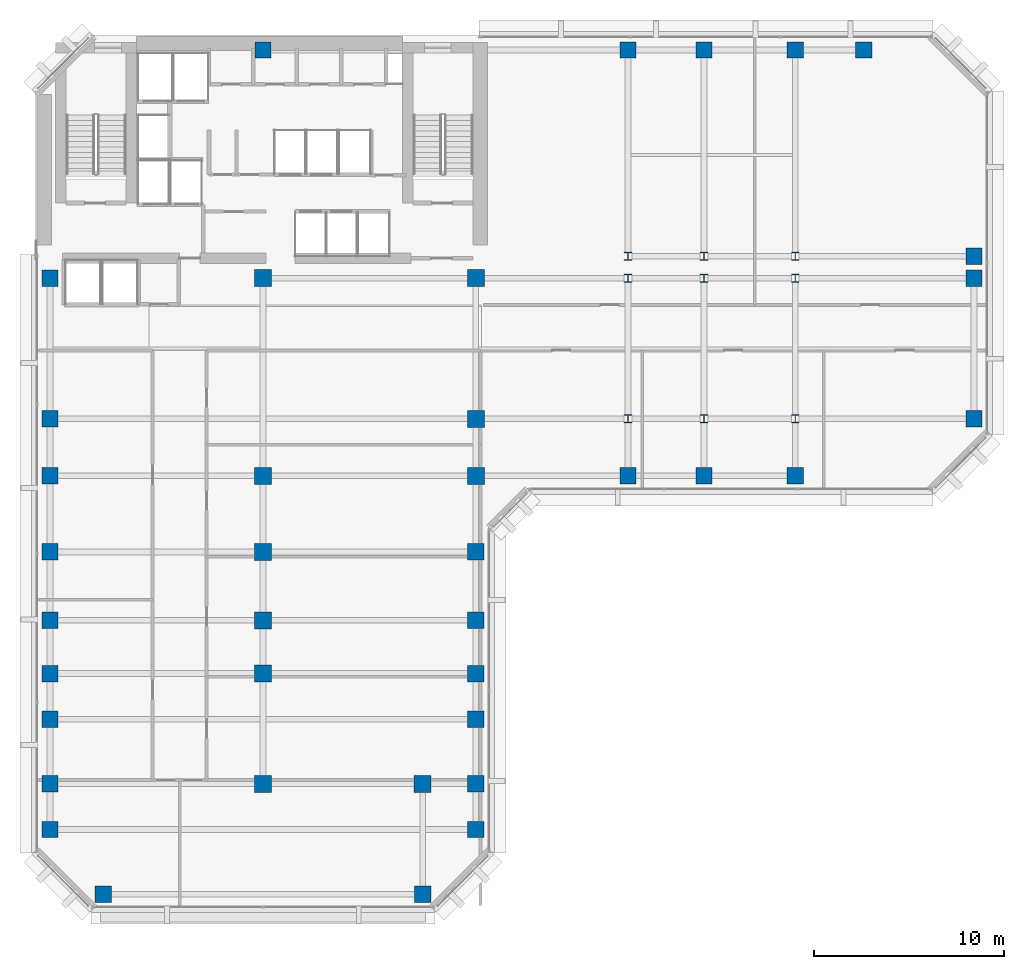
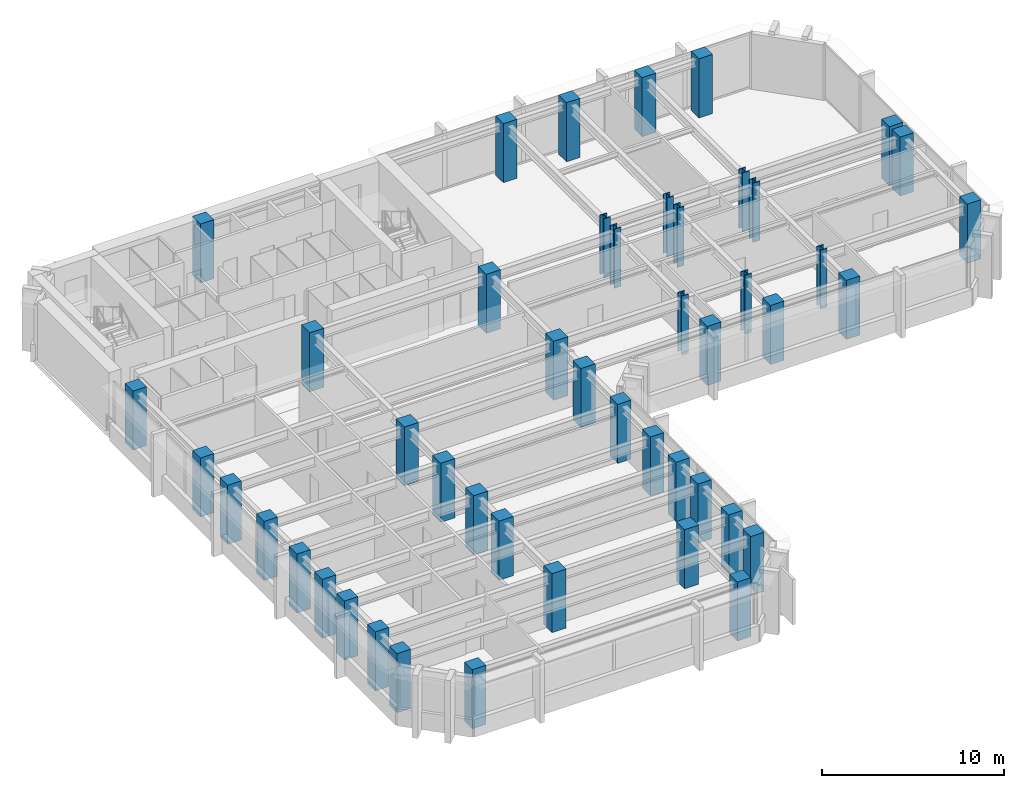
# One storey, part 1 of 11: 47 columns.
"""IFC4 building model written with IfcOpenShell, lengths in metres."""

from ifc_helpers import new_model, si_unit, direction, frame, origin, origin_2d, place, context, subcontext, project, spatial, rectangle, i_section, extrude, material, material_profile, profile_set, type_object, element, save


model = new_model("IFC4")

# Units and contexts
model_context = context("Model", 3, precision=1e-05, world=origin(), true_north=direction((0.0, 1.0)))
body_context = subcontext(model_context, "Body", "Model", "MODEL_VIEW")
ifc_project = project(units=[si_unit("LENGTHUNIT", "METRE"), si_unit("AREAUNIT", "SQUARE_METRE"), si_unit("VOLUMEUNIT", "CUBIC_METRE"), si_unit("PLANEANGLEUNIT", "RADIAN"), si_unit("MASSUNIT", "GRAM", prefix="KILO")], contexts=[model_context])

# Site, building, storey
site_placement = place(None, origin())
site = spatial("IfcSite", under=ifc_project, at=site_placement, CompositionType="ELEMENT")
building_placement = place(site_placement, origin())
building = spatial("IfcBuilding", under=site, at=building_placement, Name="Kefirva Bronze Tower", CompositionType="ELEMENT")
storey_placement = place(building_placement, frame((0.0, 0.0, 142.889892578125)))
storey = spatial("IfcBuildingStorey", under=building, at=storey_placement, Name="L34", CompositionType="ELEMENT", Elevation=142.889892578125)

# Columns
ifc_material_1 = material(Name="Concrete C60/75", Category="concrete")
ifc_material_profile_1 = material_profile(ifc_material_1, rectangle(XDim=0.860107421875, YDim=0.860107421875, at=origin_2d()), Name="RC 860x860")
ifc_profile_set_1 = profile_set([ifc_material_profile_1], Name="Concrete C60/75")
column_type_1 = type_object("IfcColumnType", Name="RC Column 860x860 Ext", PredefinedType="COLUMN", material=ifc_profile_set_1)
for number, where, z_axis, x_axis, name in (
    (1, (0.800048828125, 4.199951171875, 0.0), (0.0, 0.0, 1.0), (1.0, 0.0, 0.0), "L34 Column C008_042"),
    (2, (0.800048828125, 6.60009765625, 0.0), (0.0, 0.0, 1.0), (1.0, 0.0, 0.0), "L34 Column C008_066"),
    (3, (0.800048828125, 10.0, 0.0), (0.0, 0.0, 1.0), (1.0, 0.0, 0.0), "L34 Column C008_100"),
    (4, (0.800048828125, 12.39990234375, 0.0), (0.0, 0.0, 1.0), (1.0, 0.0, 0.0), "L34 Column C008_124"),
    (5, (0.800048828125, 15.199951171875, 0.0), (0.0, 0.0, 1.0), (1.0, 0.0, 0.0), "L34 Column C008_152"),
    (6, (0.800048828125, 18.800048828125, 0.0), (0.0, 0.0, 1.0), (1.0, 0.0, 0.0), "L34 Column C008_188"),
    (7, (0.800048828125, 22.800048828125, 0.0), (0.0, 0.0, 1.0), (1.0, 0.0, 0.0), "L34 Column C008_228"),
    (8, (0.800048828125, 25.800048828125, 0.0), (0.0, 0.0, 1.0), (1.0, 0.0, 0.0), "L34 Column C008_258"),
    (9, (0.800048828125, 33.199951171875, 0.0), (0.0, 0.0, 1.0), (1.0, 0.0, 0.0), "L34 Column C008_332"),
    (10, (3.60009765625, 0.800048828125, 0.0), (0.0, 0.0, 1.0), (1.0, 0.0, 0.0), "L34 Column C036_008"),
    (11, (12.0, 45.199951171875, 0.0), (0.0, 0.0, 1.0), (1.0, 0.0, 0.0), "L34 Column C120_452"),
    (12, (20.39990234375, 0.800048828125, 0.0), (0.0, 0.0, 1.0), (1.0, 0.0, 0.0), "L34 Column C204_008"),
    (13, (23.199951171875, 4.199951171875, 0.0), (0.0, 0.0, 1.0), (1.0, 0.0, 0.0), "L34 Column C232_042"),
    (14, (23.199951171875, 6.60009765625, 0.0), (0.0, 0.0, 1.0), (1.0, 0.0, 0.0), "L34 Column C232_066"),
    (15, (23.199951171875, 10.0, 0.0), (0.0, 0.0, 1.0), (1.0, 0.0, 0.0), "L34 Column C232_100"),
    (16, (23.199951171875, 12.39990234375, 0.0), (0.0, 0.0, 1.0), (1.0, 0.0, 0.0), "L34 Column C232_124"),
    (17, (23.199951171875, 15.199951171875, 0.0), (0.0, 0.0, 1.0), (1.0, 0.0, 0.0), "L34 Column C232_152"),
    (18, (23.199951171875, 18.800048828125, 0.0), (0.0, 0.0, 1.0), (1.0, 0.0, 0.0), "L34 Column C232_188"),
    (19, (31.199951171875, 22.800048828125, 0.0), (0.0, 0.0, 1.0), (1.0, 0.0, 0.0), "L34 Column C312_228"),
    (20, (31.199951171875, 45.199951171875, 0.0), (0.0, 0.0, 1.0), (1.0, 0.0, 0.0), "L34 Column C312_452"),
    (21, (35.199951171875, 22.800048828125, 0.0), (0.0, 0.0, 1.0), (1.0, 0.0, 0.0), "L34 Column C352_228"),
    (22, (35.199951171875, 45.199951171875, 0.0), (0.0, 0.0, 1.0), (1.0, 0.0, 0.0), "L34 Column C352_452"),
    (23, (40.0, 22.800048828125, 0.0), (0.0, 0.0, 1.0), (1.0, 0.0, 0.0), "L34 Column C400_228"),
    (24, (40.0, 45.199951171875, 0.0), (0.0, 0.0, 1.0), (1.0, 0.0, 0.0), "L34 Column C400_452"),
    (25, (43.60009765625, 45.199951171875, 0.0), (0.0, 0.0, 1.0), (1.0, 0.0, 0.0), "L34 Column C436_452"),
    (26, (49.39990234375, 25.800048828125, 0.0), (0.0, 0.0, 1.0), (1.0, 0.0, 0.0), "L34 Column C494_258"),
    (27, (49.39990234375, 33.199951171875, 0.0), (0.0, 0.0, 1.0), (1.0, 0.0, 0.0), "L34 Column C494_332"),
    (28, (49.39990234375, 34.35009765625, 0.0), (0.0, 0.0, 1.0), (1.0, 0.0, 0.0), "L34 Column C494_344"),
):
    element("IfcColumn", number, at=place(storey_placement, frame(where, z_axis=z_axis, x_axis=x_axis)), inside=storey, type_object=column_type_1, Name=name, PredefinedType="COLUMN", context=body_context, shape_type="SweptSolid", body=[
        extrude(rectangle(XDim=0.860107421875, YDim=0.860107421875, at=origin_2d()), origin(), (0.0, 0.0, 1.0), 3.960205078125),
    ])
ifc_material_profile_2 = material_profile(ifc_material_1, rectangle(XDim=0.89990234375, YDim=0.89990234375, at=origin_2d()), Name="RC 900x900")
ifc_profile_set_2 = profile_set([ifc_material_profile_2], Name="Concrete C60/75")
column_type_2 = type_object("IfcColumnType", Name="RC Column 900x900 Int", PredefinedType="COLUMN", material=ifc_profile_set_2)
for number, where, z_axis, x_axis, name in (
    (29, (12.0, 6.60009765625, 0.0), (0.0, 0.0, 1.0), (1.0, 0.0, 0.0), "L34 Column C120_066"),
    (30, (12.0, 12.39990234375, 0.0), (0.0, 0.0, 1.0), (1.0, 0.0, 0.0), "L34 Column C120_124"),
    (31, (12.0, 15.199951171875, 0.0), (0.0, 0.0, 1.0), (1.0, 0.0, 0.0), "L34 Column C120_152"),
    (32, (12.0, 18.800048828125, 0.0), (0.0, 0.0, 1.0), (1.0, 0.0, 0.0), "L34 Column C120_188"),
    (33, (12.0, 22.800048828125, 0.0), (0.0, 0.0, 1.0), (1.0, 0.0, 0.0), "L34 Column C120_228"),
    (34, (12.0, 33.199951171875, 0.0), (0.0, 0.0, 1.0), (1.0, 0.0, 0.0), "L34 Column C120_332"),
    (35, (20.39990234375, 6.60009765625, 0.0), (0.0, 0.0, 1.0), (1.0, 0.0, 0.0), "L34 Column C204_066"),
    (36, (23.199951171875, 22.800048828125, 0.0), (0.0, 0.0, 1.0), (1.0, 0.0, 0.0), "L34 Column C232_228"),
    (37, (23.199951171875, 25.800048828125, 0.0), (0.0, 0.0, 1.0), (1.0, 0.0, 0.0), "L34 Column C232_258"),
    (38, (23.199951171875, 33.199951171875, 0.0), (0.0, 0.0, 1.0), (1.0, 0.0, 0.0), "L34 Column C232_332"),
):
    element("IfcColumn", number, at=place(storey_placement, frame(where, z_axis=z_axis, x_axis=x_axis)), inside=storey, type_object=column_type_2, Name=name, PredefinedType="COLUMN", context=body_context, shape_type="SweptSolid", body=[
        extrude(rectangle(XDim=0.89990234375, YDim=0.89990234375, at=origin_2d()), origin(), (0.0, 0.0, 1.0), 3.960205078125),
    ])
ifc_material_2 = material(Name="Steel S460", Category="steel")
ifc_material_profile_3 = material_profile(ifc_material_2, i_section(OverallWidth=0.41796875, OverallDepth=0.455078125, WebThickness=0.031982421875, FlangeThickness=0.051025390625, at=origin_2d()), Name="HD 400x551")
ifc_profile_set_3 = profile_set([ifc_material_profile_3], Name="Steel S460")
column_type_3 = type_object("IfcColumnType", Name="Steel Column HD 400x551", PredefinedType="COLUMN", material=ifc_profile_set_3)
for number, where, z_axis, x_axis, name in (
    (39, (31.199951171875, 25.800048828125, 0.0), (0.0, 0.0, 1.0), (1.0, 0.0, 0.0), "L34 Column C312_258"),
    (40, (31.199951171875, 33.199951171875, 0.0), (0.0, 0.0, 1.0), (1.0, 0.0, 0.0), "L34 Column C312_332"),
    (41, (31.199951171875, 34.35009765625, 0.0), (0.0, 0.0, 1.0), (1.0, 0.0, 0.0), "L34 Column C312_344"),
    (42, (35.199951171875, 25.800048828125, 0.0), (0.0, 0.0, 1.0), (1.0, 0.0, 0.0), "L34 Column C352_258"),
    (43, (35.199951171875, 33.199951171875, 0.0), (0.0, 0.0, 1.0), (1.0, 0.0, 0.0), "L34 Column C352_332"),
    (44, (35.199951171875, 34.35009765625, 0.0), (0.0, 0.0, 1.0), (1.0, 0.0, 0.0), "L34 Column C352_344"),
    (45, (40.0, 25.800048828125, 0.0), (0.0, 0.0, 1.0), (1.0, 0.0, 0.0), "L34 Column C400_258"),
    (46, (40.0, 33.199951171875, 0.0), (0.0, 0.0, 1.0), (1.0, 0.0, 0.0), "L34 Column C400_332"),
    (47, (40.0, 34.35009765625, 0.0), (0.0, 0.0, 1.0), (1.0, 0.0, 0.0), "L34 Column C400_344"),
):
    element("IfcColumn", number, at=place(storey_placement, frame(where, z_axis=z_axis, x_axis=x_axis)), inside=storey, type_object=column_type_3, Name=name, PredefinedType="COLUMN", context=body_context, shape_type="SweptSolid", body=[
        extrude(i_section(OverallWidth=0.41796875, OverallDepth=0.455078125, WebThickness=0.031982421875, FlangeThickness=0.051025390625, at=origin_2d()), origin(), (0.0, 0.0, 1.0), 3.960205078125),
    ])

save(model, "model.ifc")
